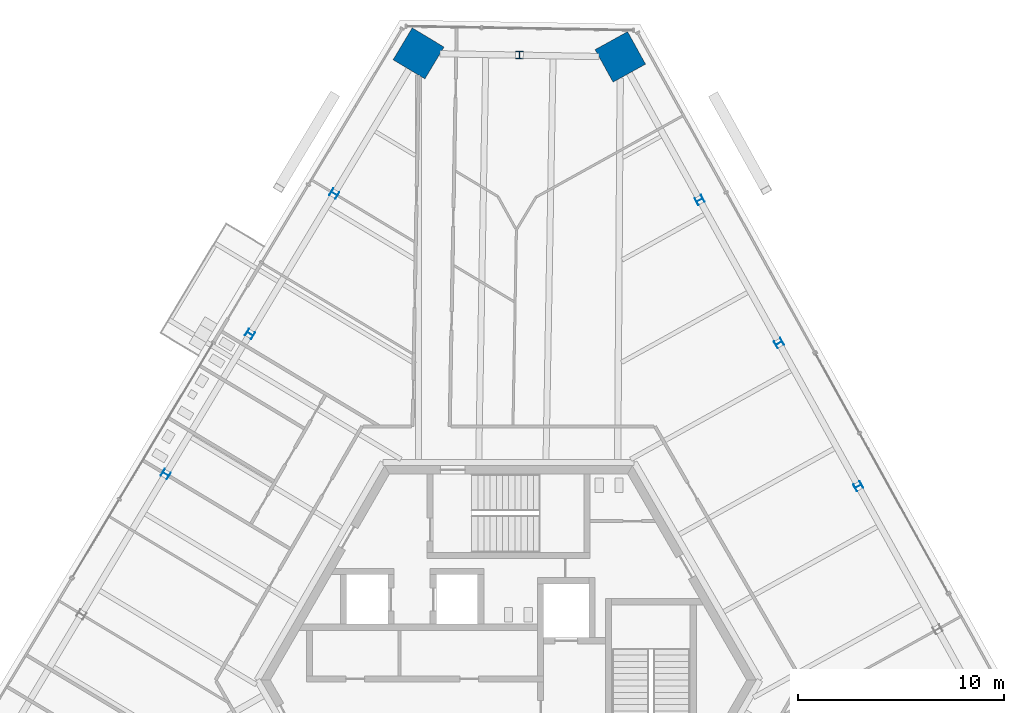
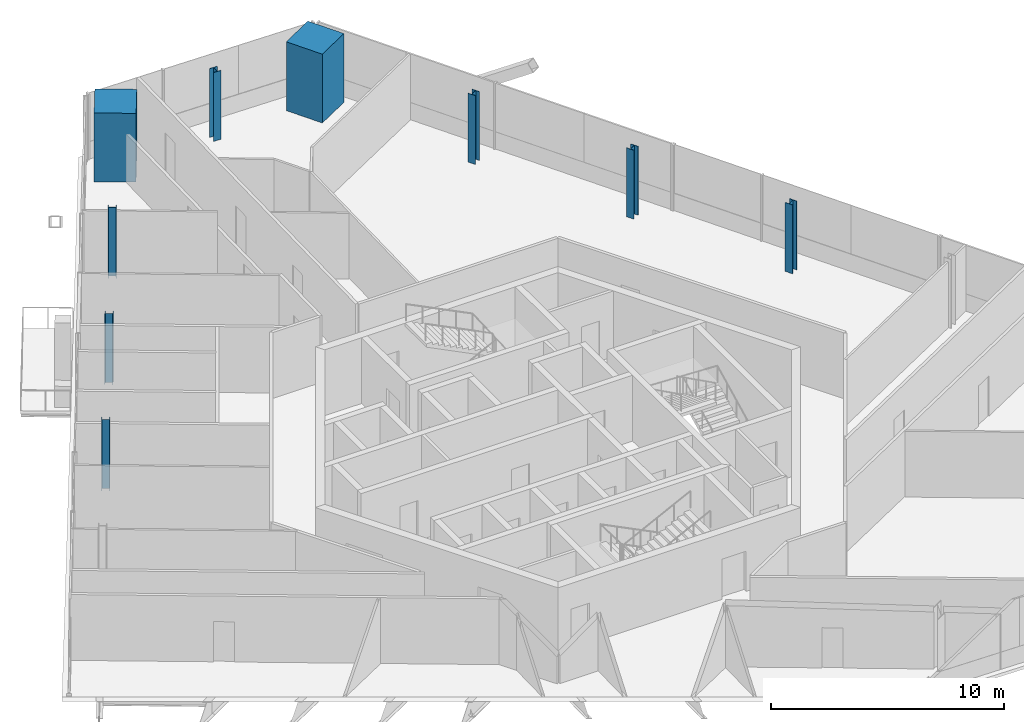
# One storey, part 3 of 19: 9 columns.
"""IFC4 building model written with IfcOpenShell, lengths in metres."""

from ifc_helpers import new_model, si_unit, direction, frame, origin, origin_2d, place, context, subcontext, project, spatial, rectangle, i_section, extrude, source, transform, mapped, material, material_profile, profile_set, type_object, element, save


model = new_model("IFC4")

# Units and contexts
model_context = context("Model", 3, precision=1e-05, world=origin(), true_north=direction((0.0, 1.0)))
body_context = subcontext(model_context, "Body", "Model", "MODEL_VIEW")
ifc_project = project(units=[si_unit("LENGTHUNIT", "METRE"), si_unit("AREAUNIT", "SQUARE_METRE"), si_unit("VOLUMEUNIT", "CUBIC_METRE"), si_unit("PLANEANGLEUNIT", "RADIAN"), si_unit("MASSUNIT", "GRAM", prefix="KILO")], contexts=[model_context])

# Site, building, storey
site_placement = place(None, origin())
site = spatial("IfcSite", under=ifc_project, at=site_placement, CompositionType="ELEMENT")
building_placement = place(site_placement, origin())
building = spatial("IfcBuilding", under=site, at=building_placement, Name="Triune Harvest Tower", CompositionType="ELEMENT")
storey_placement = place(building_placement, frame((0.0, 0.0, 183.5)))
storey = spatial("IfcBuildingStorey", under=building, at=storey_placement, Name="L47", CompositionType="ELEMENT", Elevation=183.5)

# Columns
ifc_material_1 = material(Name="Concrete 70 MPa", Category="concrete")
ifc_material_profile_1 = material_profile(ifc_material_1, rectangle(XDim=1.800048828125, YDim=1.800048828125, at=origin_2d()), Name="Composite 1800x1800")
ifc_profile_set_1 = profile_set([ifc_material_profile_1], Name="Concrete 70 MPa")
column_type_1 = type_object("IfcColumnType", Name="MC-5 Mega column Composite 1800x1800", PredefinedType="COLUMN", material=ifc_profile_set_1)
shared_shape_1 = source(origin(), body_context, "Body", "SweptSolid", [
    extrude(rectangle(XDim=1.800048828125, YDim=1.800048828125, at=origin_2d()), origin(), (0.0, 0.0, 1.0), 3.60009765625),
])
for number, where, z_axis, x_axis, name in (
    (1, (5.416015625, 30.193115234375, 0.0), (0.0, 0.0, 1.0), (-0.484809620246, 0.874619707139, 0.0), "col/L47/M6"),
    (2, (-4.359130859375, 30.36376953125, 0.0), (0.0, 0.0, 1.0), (-0.51503657887, -0.857168199612, 0.0), "col/L47/M8"),
):
    element("IfcColumn", number, at=place(storey_placement, frame(where, z_axis=z_axis, x_axis=x_axis)), inside=storey, type_object=column_type_1, Name=name, PredefinedType="COLUMN", context=body_context, shape_type="MappedRepresentation", body=[
        mapped(shared_shape_1, transform((0.0, 0.0, 0.0), scale=1.0)),
    ])
ifc_material_2 = material(Name="Steel ASTM A992 Gr 50", Category="steel")
ifc_material_profile_2 = material_profile(ifc_material_2, i_section(OverallWidth=0.370849609375, OverallDepth=0.36328125, WebThickness=0.013427734375, FlangeThickness=0.021728515625, at=origin_2d()), Name="W14x109")
ifc_profile_set_2 = profile_set([ifc_material_profile_2], Name="Steel ASTM A992 Gr 50")
column_type_2 = type_object("IfcColumnType", Name="PC-5 Perimeter column W14x109", PredefinedType="COLUMN", material=ifc_profile_set_2)
shared_shape_2 = source(origin(), body_context, "Body", "SweptSolid", [
    extrude(i_section(OverallWidth=0.370849609375, OverallDepth=0.36328125, WebThickness=0.013427734375, FlangeThickness=0.021728515625, at=origin_2d()), origin(), (0.0, 0.0, 1.0), 3.60009765625),
])
for number, where, z_axis, x_axis, name in (
    (3, (16.94580078125, 9.39306640625, 0.0), (0.0, 0.0, 1.0), (-0.484809620246, 0.874619707139, 0.0), "col/L47/P3"),
    (4, (13.1025390625, 16.326416015625, 0.0), (0.0, 0.0, 1.0), (-0.484809620246, 0.874619707139, 0.0), "col/L47/P4"),
    (5, (9.25927734375, 23.259765625, 0.0), (0.0, 0.0, 1.0), (-0.484809620246, 0.874619707139, 0.0), "col/L47/P5"),
    (6, (0.528564453125, 30.2783203125, 0.0), (0.0, 0.0, 1.0), (-0.999847725615, 0.017450661374, 0.0), "col/L47/P7"),
    (7, (-8.44189453125, 23.568603515625, 0.0), (0.0, 0.0, 1.0), (-0.51503657887, -0.857168199612, 0.0), "col/L47/P9"),
    (8, (-12.524658203125, 16.773681640625, 0.0), (0.0, 0.0, 1.0), (-0.51503657887, -0.857168199612, 0.0), "col/L47/P10"),
    (9, (-16.607421875, 9.978759765625, 0.0), (0.0, 0.0, 1.0), (-0.51503657887, -0.857168199612, 0.0), "col/L47/P11"),
):
    element("IfcColumn", number, at=place(storey_placement, frame(where, z_axis=z_axis, x_axis=x_axis)), inside=storey, type_object=column_type_2, Name=name, PredefinedType="COLUMN", context=body_context, shape_type="MappedRepresentation", body=[
        mapped(shared_shape_2, transform((0.0, 0.0, 0.0), scale=1.0)),
    ])

save(model, "model.ifc")
